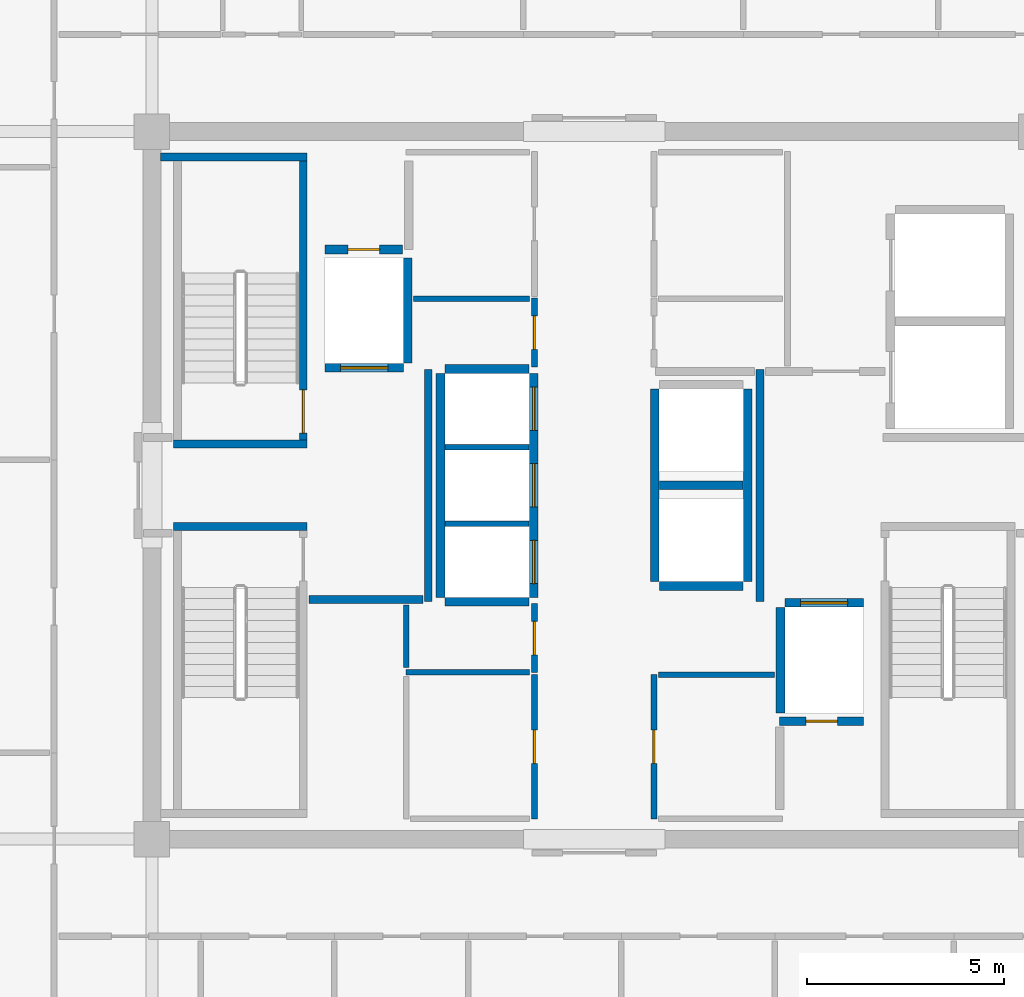
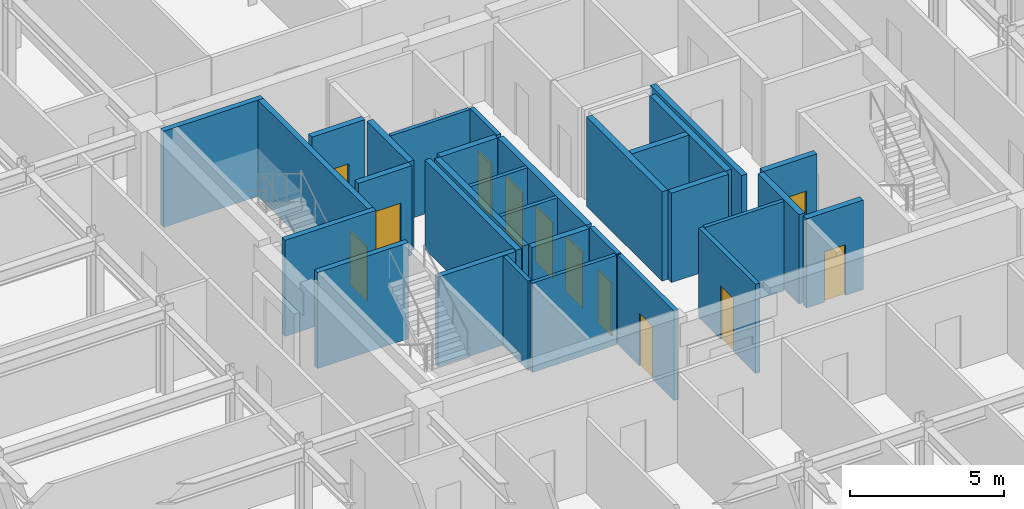
# One storey, part 12 of 16: 31 walls, 12 doors, 12 openings.
"""IFC4 building model written with IfcOpenShell, lengths in metres."""

from ifc_helpers import new_model, si_unit, direction, frame, frame_2d, origin, place, context, subcontext, project, spatial, rectangle, extrude, source, transform, mapped, material, layer, layer_set, type_object, element, fill, save


model = new_model("IFC4")

# Units and contexts
model_context = context("Model", 3, precision=1e-05, world=origin(), true_north=direction((0.0, 1.0)))
body_context = subcontext(model_context, "Body", "Model", "MODEL_VIEW")
ifc_project = project(units=[si_unit("LENGTHUNIT", "METRE"), si_unit("AREAUNIT", "SQUARE_METRE"), si_unit("VOLUMEUNIT", "CUBIC_METRE"), si_unit("PLANEANGLEUNIT", "RADIAN"), si_unit("MASSUNIT", "GRAM", prefix="KILO")], contexts=[model_context])

# Site, building, storey
site_placement = place(None, origin())
site = spatial("IfcSite", under=ifc_project, at=site_placement, CompositionType="ELEMENT")
building_placement = place(site_placement, origin())
building = spatial("IfcBuilding", under=site, at=building_placement, Name="Nefas-Gora Pilgrimage Tower", CompositionType="ELEMENT")
storey_placement = place(building_placement, frame((0.0, 0.0, 310.199951171875)))
storey = spatial("IfcBuildingStorey", under=building, at=storey_placement, Name="L78", CompositionType="ELEMENT", Elevation=310.199951171875)

# Walls
ifc_material_1 = material(Name="Concrete C45/55", Category="concrete")
ifc_layer_1 = layer(ifc_material_1, 0.199951171875)
ifc_layer_set_1 = layer_set([ifc_layer_1], Name="Concrete C45/55")
wall_type_1 = type_object("IfcWallType", Name="IW-STAIR-200", PredefinedType="SOLIDWALL", material=ifc_layer_set_1)
shared_shape_1 = source(origin(), body_context, "Body", "SweptSolid", [
    extrude(rectangle(XDim=3.39990234375, YDim=0.199951171875, at=frame_2d((1.699951171875, 0.0))), origin(), (0.0, 0.0, 1.0), 3.800048828125),
])
for number, where, z_axis, x_axis, name in (
    (1, (-7.300048828125, 1.050048828125, 0.0), (0.0, 0.0, 1.0), (-1.0, 0.0, 0.0), "L78 Stairwell Shear Wall ST-01-near"),
    (2, (-10.699951171875, -1.050048828125, 0.0), (0.0, 0.0, 1.0), (1.0, 0.0, 0.0), "L78 Stairwell Shear Wall ST-03-near"),
):
    element("IfcWall", number, at=place(storey_placement, frame(where, z_axis=z_axis, x_axis=x_axis)), inside=storey, type_object=wall_type_1, Name=name, PredefinedType="SOLIDWALL", context=body_context, shape_type="MappedRepresentation", body=[
        mapped(shared_shape_1, transform((0.0, 0.0, 0.0), x_axis=(1.0, 0.0, 0.0), y_axis=(0.0, 1.0, 0.0), z_axis=(0.0, 0.0, 1.0), scale=1.0)),
    ])

# Wall, opening, door
shared_shape_2 = source(origin(), body_context, "Body", "SweptSolid", [
    extrude(rectangle(XDim=7.10009765625, YDim=0.199951171875, at=frame_2d((3.550048828125, 0.0))), origin(), (0.0, 0.0, 1.0), 3.800048828125),
])
wall_1_placement = place(storey_placement, frame((-7.39990234375, 1.14990234375, 0.0), z_axis=(0.0, 0.0, 1.0), x_axis=(0.0, 1.0, 0.0)))
wall_1 = element("IfcWall", 3, at=wall_1_placement, inside=storey, type_object=wall_type_1, Name="L78 Stairwell Shear Wall ST-01-left", PredefinedType="SOLIDWALL", context=body_context, shape_type="MappedRepresentation", body=[
    mapped(shared_shape_2, transform((0.0, 0.0, 0.0), x_axis=(1.0, 0.0, 0.0), y_axis=(0.0, 1.0, 0.0), z_axis=(0.0, 0.0, 1.0), scale=1.0)),
])
opening_1_placement = place(wall_1_placement, frame((0.179931640625, 0.0, 0.0)))
opening_1 = element("IfcOpeningElement", 4, at=opening_1_placement, cuts=wall_1, Name="Opening ID-ST1", PredefinedType="OPENING", context=body_context, shape_type="SweptSolid", body=[
    extrude(rectangle(XDim=1.10009765625, YDim=2.14990234375, at=frame_2d((0.550048828125, 1.074951171875))), frame((0.0, 0.10986328125, 0.0), z_axis=(0.0, -1.0, 0.0), x_axis=(1.0, 0.0, 0.0)), (0.0, 0.0, 1.0), 0.219970703125),
])
ifc_material_2 = material(Name="Painted galvanised steel fire stair door", Category="steel")
door_type_1 = type_object("IfcDoorType", Name="DR-INT-STAIR-1100", OperationType="NOTDEFINED", PredefinedType="DOOR", material=ifc_material_2)
shared_shape_3 = source(origin(), body_context, "Body", "SweptSolid", [
    extrude(rectangle(XDim=1.10009765625, YDim=2.14990234375, at=frame_2d((0.550048828125, 1.074951171875))), frame((0.0, 0.02490234375, 0.0), z_axis=(0.0, -1.0, 0.0), x_axis=(1.0, 0.0, 0.0)), (0.0, 0.0, 1.0), 0.050048828125),
])
door_1_placement = place(opening_1_placement, origin())
door_1 = element("IfcDoor", 5, at=door_1_placement, inside=storey, type_object=door_type_1, Name="L78 Protected Exit Stair Door ST-01", OperationType="SINGLE_SWING_RIGHT", OverallHeight=2.14990234375, OverallWidth=1.10009765625, PredefinedType="DOOR", context=body_context, shape_type="MappedRepresentation", body=[
    mapped(shared_shape_3, transform((0.0, 0.0, 0.0), x_axis=(1.0, 0.0, 0.0), y_axis=(0.0, 1.0, 0.0), z_axis=(0.0, 0.0, 1.0), scale=1.0)),
])
fill(opening_1, door_1)

# Wall
shared_shape_4 = source(origin(), body_context, "Body", "SweptSolid", [
    extrude(rectangle(XDim=3.72998046875, YDim=0.199951171875, at=frame_2d((1.864990234375, 0.0))), origin(), (0.0, 0.0, 1.0), 3.800048828125),
])
wall_2_placement = place(storey_placement, frame((-7.300048828125, 8.35009765625, 0.0), z_axis=(0.0, 0.0, 1.0), x_axis=(-1.0, 0.0, 0.0)))
element("IfcWall", 6, at=wall_2_placement, inside=storey, type_object=wall_type_1, Name="L78 Stairwell Shear Wall ST-01-far", PredefinedType="SOLIDWALL", context=body_context, shape_type="MappedRepresentation", body=[
    mapped(shared_shape_4, transform((0.0, 0.0, 0.0), x_axis=(1.0, 0.0, 0.0), y_axis=(0.0, 1.0, 0.0), z_axis=(0.0, 0.0, 1.0), scale=1.0)),
])

# Wall, opening, door
ifc_material_3 = material(Name="Concrete C40/50", Category="concrete")
ifc_layer_2 = layer(ifc_material_3, 0.219970703125)
ifc_layer_set_2 = layer_set([ifc_layer_2], Name="Concrete C40/50")
wall_type_2 = type_object("IfcWallType", Name="IW-SHAFT-220", PredefinedType="SOLIDWALL", material=ifc_layer_set_2)
shared_shape_5 = source(origin(), body_context, "Body", "SweptSolid", [
    extrude(rectangle(XDim=2.0, YDim=0.219970703125, at=frame_2d((1.0, 0.0))), origin(), (0.0, 0.0, 1.0), 3.53515625),
])
wall_3_placement = place(storey_placement, frame((-6.85009765625, 2.989990234375, 0.0), z_axis=(0.0, 0.0, 1.0), x_axis=(1.0, 0.0, 0.0)))
wall_3 = element("IfcWall", 7, at=wall_3_placement, inside=storey, type_object=wall_type_2, Name="L78 Hoistway Wall FFL-01-S", PredefinedType="SOLIDWALL", context=body_context, shape_type="MappedRepresentation", body=[
    mapped(shared_shape_5, transform((0.0, 0.0, 0.0), x_axis=(1.0, 0.0, 0.0), y_axis=(0.0, 1.0, 0.0), z_axis=(0.0, 0.0, 1.0), scale=1.0)),
])
opening_2_placement = place(wall_3_placement, frame((0.39990234375, 0.0, 0.0)))
opening_2 = element("IfcOpeningElement", 8, at=opening_2_placement, cuts=wall_3, Name="Opening LD-FF", PredefinedType="OPENING", context=body_context, shape_type="SweptSolid", body=[
    extrude(rectangle(XDim=1.199951171875, YDim=2.199951171875, at=frame_2d((0.60009765625, 1.10009765625))), frame((0.0, 0.119873046875, 0.0), z_axis=(0.0, -1.0, 0.0), x_axis=(1.0, 0.0, 0.0)), (0.0, 0.0, 1.0), 0.239990234375),
])
ifc_material_4 = material(Name="Fire-service sliding lift landing door")
door_type_2 = type_object("IfcDoorType", Name="DR-LIFT-FSAE-1200", OperationType="SLIDING_TO_LEFT", PredefinedType="DOOR", material=ifc_material_4)
shared_shape_6 = source(origin(), body_context, "Body", "SweptSolid", [
    extrude(rectangle(XDim=1.199951171875, YDim=2.199951171875, at=frame_2d((0.60009765625, 1.10009765625))), frame((0.0, 0.02490234375, 0.0), z_axis=(0.0, -1.0, 0.0), x_axis=(1.0, 0.0, 0.0)), (0.0, 0.0, 1.0), 0.050048828125),
])
door_2_placement = place(opening_2_placement, origin())
door_2 = element("IfcDoor", 9, at=door_2_placement, inside=storey, type_object=door_type_2, Name="L78 Sliding Lift Landing Door FFL-01", OperationType="SLIDING_TO_LEFT", OverallHeight=2.199951171875, OverallWidth=1.199951171875, PredefinedType="DOOR", context=body_context, shape_type="MappedRepresentation", body=[
    mapped(shared_shape_6, transform((0.0, 0.0, 0.0), x_axis=(1.0, 0.0, 0.0), y_axis=(0.0, 1.0, 0.0), z_axis=(0.0, 0.0, 1.0), scale=1.0)),
])
fill(opening_2, door_2)

wall_4_placement = place(storey_placement, frame((6.85009765625, -2.989990234375, 0.0), z_axis=(0.0, 0.0, 1.0), x_axis=(-1.0, 0.0, 0.0)))
wall_4 = element("IfcWall", 10, at=wall_4_placement, inside=storey, type_object=wall_type_2, Name="L78 Hoistway Wall FFL-02-N", PredefinedType="SOLIDWALL", context=body_context, shape_type="MappedRepresentation", body=[
    mapped(shared_shape_5, transform((0.0, 0.0, 0.0), x_axis=(1.0, 0.0, 0.0), y_axis=(0.0, 1.0, 0.0), z_axis=(0.0, 0.0, 1.0), scale=1.0)),
])
opening_3_placement = place(wall_4_placement, frame((0.39990234375, 0.0, 0.0)))
opening_3 = element("IfcOpeningElement", 11, at=opening_3_placement, cuts=wall_4, Name="Opening LD-FF", PredefinedType="OPENING", context=body_context, shape_type="SweptSolid", body=[
    extrude(rectangle(XDim=1.199951171875, YDim=2.199951171875, at=frame_2d((0.60009765625, 1.10009765625))), frame((0.0, 0.119873046875, 0.0), z_axis=(0.0, -1.0, 0.0), x_axis=(1.0, 0.0, 0.0)), (0.0, 0.0, 1.0), 0.239990234375),
])
door_3_placement = place(opening_3_placement, origin())
door_3 = element("IfcDoor", 12, at=door_3_placement, inside=storey, type_object=door_type_2, Name="L78 Sliding Lift Landing Door FFL-02", OperationType="SLIDING_TO_LEFT", OverallHeight=2.199951171875, OverallWidth=1.199951171875, PredefinedType="DOOR", context=body_context, shape_type="MappedRepresentation", body=[
    mapped(shared_shape_6, transform((0.0, 0.0, 0.0), x_axis=(1.0, 0.0, 0.0), y_axis=(0.0, 1.0, 0.0), z_axis=(0.0, 0.0, 1.0), scale=1.0)),
])
fill(opening_3, door_3)

# Walls
shared_shape_7 = source(origin(), body_context, "Body", "SweptSolid", [
    extrude(rectangle(XDim=2.679931640625, YDim=0.219970703125, at=frame_2d((1.33984375, 0.0))), origin(), (0.0, 0.0, 1.0), 3.53515625),
])
for number, where, z_axis, x_axis, name in (
    (13, (-4.739990234375, 3.110107421875, 0.0), (0.0, 0.0, 1.0), (0.0, 1.0, 0.0), "L78 Hoistway Wall FFL-01-E"),
    (14, (4.739990234375, -3.110107421875, 0.0), (0.0, 0.0, 1.0), (0.0, -1.0, 0.0), "L78 Hoistway Wall FFL-02-W"),
):
    element("IfcWall", number, at=place(storey_placement, frame(where, z_axis=z_axis, x_axis=x_axis)), inside=storey, type_object=wall_type_2, Name=name, PredefinedType="SOLIDWALL", context=body_context, shape_type="MappedRepresentation", body=[
        mapped(shared_shape_7, transform((0.0, 0.0, 0.0), x_axis=(1.0, 0.0, 0.0), y_axis=(0.0, 1.0, 0.0), z_axis=(0.0, 0.0, 1.0), scale=1.0)),
    ])

# Wall, openings, doors
shared_shape_8 = source(origin(), body_context, "Body", "SweptSolid", [
    extrude(rectangle(XDim=5.7001953125, YDim=0.219970703125, at=frame_2d((2.85009765625, 0.0))), origin(), (0.0, 0.0, 1.0), 3.53515625),
])
wall_5_placement = place(storey_placement, frame((-1.5400390625, -2.85009765625, 0.0), z_axis=(0.0, 0.0, 1.0), x_axis=(0.0, 1.0, 0.0)))
wall_5 = element("IfcWall", 15, at=wall_5_placement, inside=storey, type_object=wall_type_2, Name="L78 Hoistway Wall PL3-01-03-E", PredefinedType="SOLIDWALL", context=body_context, shape_type="MappedRepresentation", body=[
    mapped(shared_shape_8, transform((0.0, 0.0, 0.0), x_axis=(1.0, 0.0, 0.0), y_axis=(0.0, 1.0, 0.0), z_axis=(0.0, 0.0, 1.0), scale=1.0)),
])
opening_4_placement = place(wall_5_placement, frame((0.35009765625, 0.0, 0.0)))
opening_4 = element("IfcOpeningElement", 16, at=opening_4_placement, cuts=wall_5, Name="Opening LD-01", PredefinedType="OPENING", context=body_context, shape_type="SweptSolid", body=[
    extrude(rectangle(XDim=1.10009765625, YDim=2.199951171875, at=frame_2d((0.550048828125, 1.10009765625))), frame((0.0, 0.119873046875, 0.0), z_axis=(0.0, -1.0, 0.0), x_axis=(1.0, 0.0, 0.0)), (0.0, 0.0, 1.0), 0.239990234375),
])
opening_5_placement = place(wall_5_placement, frame((2.300048828125, 0.0, 0.0)))
opening_5 = element("IfcOpeningElement", 17, at=opening_5_placement, cuts=wall_5, Name="Opening LD-01", PredefinedType="OPENING", context=body_context, shape_type="SweptSolid", body=[
    extrude(rectangle(XDim=1.10009765625, YDim=2.199951171875, at=frame_2d((0.550048828125, 1.10009765625))), frame((0.0, 0.119873046875, 0.0), z_axis=(0.0, -1.0, 0.0), x_axis=(1.0, 0.0, 0.0)), (0.0, 0.0, 1.0), 0.239990234375),
])
opening_6_placement = place(wall_5_placement, frame((4.25, 0.0, 0.0)))
opening_6 = element("IfcOpeningElement", 18, at=opening_6_placement, cuts=wall_5, Name="Opening LD-01", PredefinedType="OPENING", context=body_context, shape_type="SweptSolid", body=[
    extrude(rectangle(XDim=1.10009765625, YDim=2.199951171875, at=frame_2d((0.550048828125, 1.10009765625))), frame((0.0, 0.119873046875, 0.0), z_axis=(0.0, -1.0, 0.0), x_axis=(1.0, 0.0, 0.0)), (0.0, 0.0, 1.0), 0.239990234375),
])
ifc_material_5 = material(Name="Brushed stainless sliding lift landing door")
door_type_3 = type_object("IfcDoorType", Name="DR-LIFT-PASS-1100", OperationType="DOUBLE_DOOR_SLIDING", PredefinedType="DOOR", material=ifc_material_5)
shared_shape_9 = source(origin(), body_context, "Body", "SweptSolid", [
    extrude(rectangle(XDim=1.10009765625, YDim=2.199951171875, at=frame_2d((0.550048828125, 1.10009765625))), frame((0.0, 0.02490234375, 0.0), z_axis=(0.0, -1.0, 0.0), x_axis=(1.0, 0.0, 0.0)), (0.0, 0.0, 1.0), 0.050048828125),
])
door_4_placement = place(opening_4_placement, origin())
door_4 = element("IfcDoor", 19, at=door_4_placement, inside=storey, type_object=door_type_3, Name="L78 Sliding Lift Landing Door PL3-01", OperationType="DOUBLE_DOOR_SLIDING", OverallHeight=2.199951171875, OverallWidth=1.10009765625, PredefinedType="DOOR", context=body_context, shape_type="MappedRepresentation", body=[
    mapped(shared_shape_9, transform((0.0, 0.0, 0.0), x_axis=(1.0, 0.0, 0.0), y_axis=(0.0, 1.0, 0.0), z_axis=(0.0, 0.0, 1.0), scale=1.0)),
])
fill(opening_4, door_4)
door_5_placement = place(opening_5_placement, origin())
door_5 = element("IfcDoor", 20, at=door_5_placement, inside=storey, type_object=door_type_3, Name="L78 Sliding Lift Landing Door PL3-02", OperationType="DOUBLE_DOOR_SLIDING", OverallHeight=2.199951171875, OverallWidth=1.10009765625, PredefinedType="DOOR", context=body_context, shape_type="MappedRepresentation", body=[
    mapped(shared_shape_9, transform((0.0, 0.0, 0.0), x_axis=(1.0, 0.0, 0.0), y_axis=(0.0, 1.0, 0.0), z_axis=(0.0, 0.0, 1.0), scale=1.0)),
])
fill(opening_5, door_5)
door_6_placement = place(opening_6_placement, origin())
door_6 = element("IfcDoor", 21, at=door_6_placement, inside=storey, type_object=door_type_3, Name="L78 Sliding Lift Landing Door PL3-03", OperationType="DOUBLE_DOOR_SLIDING", OverallHeight=2.199951171875, OverallWidth=1.10009765625, PredefinedType="DOOR", context=body_context, shape_type="MappedRepresentation", body=[
    mapped(shared_shape_9, transform((0.0, 0.0, 0.0), x_axis=(1.0, 0.0, 0.0), y_axis=(0.0, 1.0, 0.0), z_axis=(0.0, 0.0, 1.0), scale=1.0)),
])
fill(opening_6, door_6)

# Walls
wall_6_placement = place(storey_placement, frame((-3.909912109375, 2.85009765625, 0.0), z_axis=(0.0, 0.0, 1.0), x_axis=(0.0, -1.0, 0.0)))
element("IfcWall", 22, at=wall_6_placement, inside=storey, type_object=wall_type_2, Name="L78 Hoistway Wall PL3-01-03-W", PredefinedType="SOLIDWALL", context=body_context, shape_type="MappedRepresentation", body=[
    mapped(shared_shape_8, transform((0.0, 0.0, 0.0), x_axis=(1.0, 0.0, 0.0), y_axis=(0.0, 1.0, 0.0), z_axis=(0.0, 0.0, 1.0), scale=1.0)),
])
shared_shape_10 = source(origin(), body_context, "Body", "SweptSolid", [
    extrude(rectangle(XDim=2.130126953125, YDim=0.219970703125, at=frame_2d((1.06494140625, 0.0))), origin(), (0.0, 0.0, 1.0), 3.53515625),
])
for number, where, z_axis, x_axis, name in (
    (23, (-3.7900390625, -2.9599609375, 0.0), (0.0, 0.0, 1.0), (1.0, 0.0, 0.0), "L78 Hoistway Wall PL3-01-S"),
    (24, (-1.659912109375, 2.9599609375, 0.0), (0.0, 0.0, 1.0), (-1.0, 0.0, 0.0), "L78 Hoistway Wall PL3-03-N"),
    (25, (1.659912109375, -2.56005859375, 0.0), (0.0, 0.0, 1.0), (1.0, 0.0, 0.0), "L78 Hoistway Wall OBS-01-S"),
    (26, (1.659912109375, 0.0, 0.0), (0.0, 0.0, 1.0), (1.0, 0.0, 0.0), "L78 Hoistway Wall OBS-01-02-DIV"),
):
    element("IfcWall", number, at=place(storey_placement, frame(where, z_axis=z_axis, x_axis=x_axis)), inside=storey, type_object=wall_type_2, Name=name, PredefinedType="SOLIDWALL", context=body_context, shape_type="MappedRepresentation", body=[
        mapped(shared_shape_10, transform((0.0, 0.0, 0.0), x_axis=(1.0, 0.0, 0.0), y_axis=(0.0, 1.0, 0.0), z_axis=(0.0, 0.0, 1.0), scale=1.0)),
    ])

# Wall, opening, door
wall_7_placement = place(storey_placement, frame((4.719970703125, -6.0, 0.0), z_axis=(0.0, 0.0, 1.0), x_axis=(1.0, 0.0, 0.0)))
wall_7 = element("IfcWall", 27, at=wall_7_placement, inside=storey, type_object=wall_type_2, Name="L78 Riser Shaft Wall 3", PredefinedType="SOLIDWALL", context=body_context, shape_type="MappedRepresentation", body=[
    mapped(shared_shape_10, transform((0.0, 0.0, 0.0), x_axis=(1.0, 0.0, 0.0), y_axis=(0.0, 1.0, 0.0), z_axis=(0.0, 0.0, 1.0), scale=1.0)),
])
opening_7_placement = place(wall_7_placement, frame((0.6650390625, 0.0, 0.0)))
opening_7 = element("IfcOpeningElement", 28, at=opening_7_placement, cuts=wall_7, Name="Opening ID-TR1", PredefinedType="OPENING", context=body_context, shape_type="SweptSolid", body=[
    extrude(rectangle(XDim=0.800048828125, YDim=2.0, at=frame_2d((0.39990234375, 1.0))), frame((0.0, 0.119873046875, 0.0), z_axis=(0.0, -1.0, 0.0), x_axis=(1.0, 0.0, 0.0)), (0.0, 0.0, 1.0), 0.239990234375),
])
ifc_material_6 = material(Name="Riser maintenance fire access door")
door_type_4 = type_object("IfcDoorType", Name="DR-INT-TRAP-800", OperationType="NOTDEFINED", PredefinedType="TRAPDOOR", material=ifc_material_6)
shared_shape_11 = source(origin(), body_context, "Body", "SweptSolid", [
    extrude(rectangle(XDim=0.800048828125, YDim=2.0, at=frame_2d((0.39990234375, 1.0))), frame((0.0, 0.02490234375, 0.0), z_axis=(0.0, -1.0, 0.0), x_axis=(1.0, 0.0, 0.0)), (0.0, 0.0, 1.0), 0.050048828125),
])
door_7_placement = place(opening_7_placement, origin())
door_7 = element("IfcDoor", 29, at=door_7_placement, inside=storey, type_object=door_type_4, Name="L78 Riser Shaft Door 2", OperationType="SINGLE_SWING_LEFT", OverallHeight=2.0, OverallWidth=0.800048828125, PredefinedType="TRAPDOOR", context=body_context, shape_type="MappedRepresentation", body=[
    mapped(shared_shape_11, transform((0.0, 0.0, 0.0), x_axis=(1.0, 0.0, 0.0), y_axis=(0.0, 1.0, 0.0), z_axis=(0.0, 0.0, 1.0), scale=1.0)),
])
fill(opening_7, door_7)

# Walls
ifc_material_7 = material(Name="Gypsum twin-stud partition")
ifc_layer_3 = layer(ifc_material_7, 0.139892578125)
ifc_layer_set_3 = layer_set([ifc_layer_3], Name="Gypsum twin-stud partition")
wall_type_3 = type_object("IfcWallType", Name="IW-UNIT-140", PredefinedType="PARTITIONING", material=ifc_layer_set_3)
shared_shape_12 = source(origin(), body_context, "Body", "SweptSolid", [
    extrude(rectangle(XDim=2.130126953125, YDim=0.139892578125, at=frame_2d((1.06494140625, 0.0))), origin(), (0.0, 0.0, 1.0), 3.53515625),
])
for number, where, z_axis, x_axis, name in (
    (30, (-3.7900390625, -0.97509765625, 0.0), (0.0, 0.0, 1.0), (1.0, 0.0, 0.0), "L78 Hoistway Wall PL3-01-02-DIV"),
    (31, (-3.7900390625, 0.97509765625, 0.0), (0.0, 0.0, 1.0), (1.0, 0.0, 0.0), "L78 Hoistway Wall PL3-02-03-DIV"),
):
    element("IfcWall", number, at=place(storey_placement, frame(where, z_axis=z_axis, x_axis=x_axis)), inside=storey, type_object=wall_type_3, Name=name, PredefinedType="PARTITIONING", context=body_context, shape_type="MappedRepresentation", body=[
        mapped(shared_shape_12, transform((0.0, 0.0, 0.0), x_axis=(1.0, 0.0, 0.0), y_axis=(0.0, 1.0, 0.0), z_axis=(0.0, 0.0, 1.0), scale=1.0)),
    ])
shared_shape_13 = source(origin(), body_context, "Body", "SweptSolid", [
    extrude(rectangle(XDim=4.89990234375, YDim=0.219970703125, at=frame_2d((2.449951171875, 0.0))), origin(), (0.0, 0.0, 1.0), 3.53515625),
])
for number, where, z_axis, x_axis, name in (
    (32, (1.5400390625, 2.449951171875, 0.0), (0.0, 0.0, 1.0), (0.0, -1.0, 0.0), "L78 Hoistway Wall OBS-01-02-W"),
    (33, (3.909912109375, -2.449951171875, 0.0), (0.0, 0.0, 1.0), (0.0, 1.0, 0.0), "L78 Hoistway Wall OBS-01-02-E"),
):
    element("IfcWall", number, at=place(storey_placement, frame(where, z_axis=z_axis, x_axis=x_axis)), inside=storey, type_object=wall_type_2, Name=name, PredefinedType="SOLIDWALL", context=body_context, shape_type="MappedRepresentation", body=[
        mapped(shared_shape_13, transform((0.0, 0.0, 0.0), x_axis=(1.0, 0.0, 0.0), y_axis=(0.0, 1.0, 0.0), z_axis=(0.0, 0.0, 1.0), scale=1.0)),
    ])
ifc_material_8 = material(Name="Gypsum fire-rated shaftwall")
ifc_layer_4 = layer(ifc_material_8, 0.199951171875)
ifc_layer_set_4 = layer_set([ifc_layer_4], Name="Gypsum fire-rated shaftwall")
wall_type_4 = type_object("IfcWallType", Name="IW-FFLOB-200", PredefinedType="PARTITIONING", material=ifc_layer_set_4)
shared_shape_14 = source(origin(), body_context, "Body", "SweptSolid", [
    extrude(rectangle(XDim=5.89990234375, YDim=0.199951171875, at=frame_2d((2.949951171875, 0.0))), origin(), (0.0, 0.0, 1.0), 3.53515625),
])
for number, where, z_axis, x_axis, name in (
    (34, (-4.219970703125, -2.949951171875, 0.0), (0.0, 0.0, 1.0), (0.0, 1.0, 0.0), "L78 FF Lobby West Inner Wall Wall 6"),
    (35, (4.219970703125, -2.949951171875, 0.0), (0.0, 0.0, 1.0), (0.0, 1.0, 0.0), "L78 FF Lobby East Inner Wall Wall 11"),
):
    element("IfcWall", number, at=place(storey_placement, frame(where, z_axis=z_axis, x_axis=x_axis)), inside=storey, type_object=wall_type_4, Name=name, PredefinedType="PARTITIONING", context=body_context, shape_type="MappedRepresentation", body=[
        mapped(shared_shape_14, transform((0.0, 0.0, 0.0), x_axis=(1.0, 0.0, 0.0), y_axis=(0.0, 1.0, 0.0), z_axis=(0.0, 0.0, 1.0), scale=1.0)),
    ])
shared_shape_15 = source(origin(), body_context, "Body", "SweptSolid", [
    extrude(rectangle(XDim=2.89990234375, YDim=0.199951171875, at=frame_2d((1.449951171875, 0.0))), origin(), (0.0, 0.0, 1.0), 3.53515625),
])
wall_8_placement = place(storey_placement, frame((-7.260009765625, -2.89990234375, 0.0), z_axis=(0.0, 0.0, 1.0), x_axis=(1.0, 0.0, 0.0)))
element("IfcWall", 36, at=wall_8_placement, inside=storey, type_object=wall_type_4, Name="L78 FF Lobby West South Wall Wall 7", PredefinedType="PARTITIONING", context=body_context, shape_type="MappedRepresentation", body=[
    mapped(shared_shape_15, transform((0.0, 0.0, 0.0), x_axis=(1.0, 0.0, 0.0), y_axis=(0.0, 1.0, 0.0), z_axis=(0.0, 0.0, 1.0), scale=1.0)),
])
shared_shape_16 = source(origin(), body_context, "Body", "SweptSolid", [
    extrude(rectangle(XDim=3.150146484375, YDim=0.139892578125, at=frame_2d((1.5751953125, 0.0))), origin(), (0.0, 0.0, 1.0), 3.53515625),
])
wall_9_placement = place(storey_placement, frame((-4.7900390625, -4.75, 0.0), z_axis=(0.0, 0.0, 1.0), x_axis=(1.0, 0.0, 0.0)))
element("IfcWall", 37, at=wall_9_placement, inside=storey, type_object=wall_type_3, Name="L78 Guest Self-Service Laundry Room Partition Wall 32", PredefinedType="PARTITIONING", context=body_context, shape_type="MappedRepresentation", body=[
    mapped(shared_shape_16, transform((0.0, 0.0, 0.0), x_axis=(1.0, 0.0, 0.0), y_axis=(0.0, 1.0, 0.0), z_axis=(0.0, 0.0, 1.0), scale=1.0)),
])
shared_shape_17 = source(origin(), body_context, "Body", "SweptSolid", [
    extrude(rectangle(XDim=2.9501953125, YDim=0.139892578125, at=frame_2d((1.47509765625, 0.0))), origin(), (0.0, 0.0, 1.0), 3.53515625),
])
for number, where, z_axis, x_axis, name in (
    (38, (-4.590087890625, 4.75, 0.0), (0.0, 0.0, 1.0), (1.0, 0.0, 0.0), "L78 Housekeeping and Linen Store Partition Wall 24"),
    (39, (1.639892578125, -4.820068359375, 0.0), (0.0, 0.0, 1.0), (1.0, 0.0, 0.0), "L78 High-Rise Tableware Store Partition Wall 38"),
):
    element("IfcWall", number, at=place(storey_placement, frame(where, z_axis=z_axis, x_axis=x_axis)), inside=storey, type_object=wall_type_3, Name=name, PredefinedType="PARTITIONING", context=body_context, shape_type="MappedRepresentation", body=[
        mapped(shared_shape_17, transform((0.0, 0.0, 0.0), x_axis=(1.0, 0.0, 0.0), y_axis=(0.0, 1.0, 0.0), z_axis=(0.0, 0.0, 1.0), scale=1.0)),
    ])

# Wall, opening, door
shared_shape_18 = source(origin(), body_context, "Body", "SweptSolid", [
    extrude(rectangle(XDim=1.97998046875, YDim=0.219970703125, at=frame_2d((0.989990234375, 0.0))), origin(), (0.0, 0.0, 1.0), 3.53515625),
])
wall_10_placement = place(storey_placement, frame((-6.85009765625, 6.0, 0.0), z_axis=(0.0, 0.0, 1.0), x_axis=(1.0, 0.0, 0.0)))
wall_10 = element("IfcWall", 40, at=wall_10_placement, inside=storey, type_object=wall_type_2, Name="L78 Riser Shaft Wall 2", PredefinedType="SOLIDWALL", context=body_context, shape_type="MappedRepresentation", body=[
    mapped(shared_shape_18, transform((0.0, 0.0, 0.0), x_axis=(1.0, 0.0, 0.0), y_axis=(0.0, 1.0, 0.0), z_axis=(0.0, 0.0, 1.0), scale=1.0)),
])
opening_8_placement = place(wall_10_placement, frame((0.590087890625, 0.0, 0.0)))
opening_8 = element("IfcOpeningElement", 41, at=opening_8_placement, cuts=wall_10, Name="Opening ID-TR1", PredefinedType="OPENING", context=body_context, shape_type="SweptSolid", body=[
    extrude(rectangle(XDim=0.800048828125, YDim=2.0, at=frame_2d((0.39990234375, 1.0))), frame((0.0, 0.119873046875, 0.0), z_axis=(0.0, -1.0, 0.0), x_axis=(1.0, 0.0, 0.0)), (0.0, 0.0, 1.0), 0.239990234375),
])
door_8_placement = place(opening_8_placement, origin())
door_8 = element("IfcDoor", 42, at=door_8_placement, inside=storey, type_object=door_type_4, Name="L78 Riser Shaft Door 1", OperationType="SINGLE_SWING_RIGHT", OverallHeight=2.0, OverallWidth=0.800048828125, PredefinedType="TRAPDOOR", context=body_context, shape_type="MappedRepresentation", body=[
    mapped(shared_shape_11, transform((0.0, 0.0, 0.0), x_axis=(1.0, 0.0, 0.0), y_axis=(0.0, 1.0, 0.0), z_axis=(0.0, 0.0, 1.0), scale=1.0)),
])
fill(opening_8, door_8)

ifc_material_9 = material(Name="Gypsum acoustic stud partition")
ifc_layer_5 = layer(ifc_material_9, 0.159912109375)
ifc_layer_set_5 = layer_set([ifc_layer_5], Name="Gypsum acoustic stud partition")
wall_type_5 = type_object("IfcWallType", Name="IW-CORR-160", PredefinedType="PARTITIONING", material=ifc_layer_set_5)
shared_shape_19 = source(origin(), body_context, "Body", "SweptSolid", [
    extrude(rectangle(XDim=1.75, YDim=0.159912109375, at=frame_2d((0.875, 0.0))), origin(), (0.0, 0.0, 1.0), 3.53515625),
])
wall_11_placement = place(storey_placement, frame((-1.52001953125, 3.010009765625, 0.0), z_axis=(0.0, 0.0, 1.0), x_axis=(0.0, 1.0, 0.0)))
wall_11 = element("IfcWall", 43, at=wall_11_placement, inside=storey, type_object=wall_type_5, Name="L78 Housekeeping and Linen Store Wall 23", PredefinedType="PARTITIONING", context=body_context, shape_type="MappedRepresentation", body=[
    mapped(shared_shape_19, transform((0.0, 0.0, 0.0), x_axis=(1.0, 0.0, 0.0), y_axis=(0.0, 1.0, 0.0), z_axis=(0.0, 0.0, 1.0), scale=1.0)),
])
opening_9_placement = place(wall_11_placement, frame((0.449951171875, 0.0, 0.0)))
opening_9 = element("IfcOpeningElement", 44, at=opening_9_placement, cuts=wall_11, Name="Opening ID-BT1", PredefinedType="OPENING", context=body_context, shape_type="SweptSolid", body=[
    extrude(rectangle(XDim=0.85009765625, YDim=2.10009765625, at=frame_2d((0.425048828125, 1.050048828125))), frame((0.0, 0.08984375, 0.0), z_axis=(0.0, -1.0, 0.0), x_axis=(1.0, 0.0, 0.0)), (0.0, 0.0, 1.0), 0.179931640625),
])
ifc_material_10 = material(Name="Moisture-resistant fire-rated timber door", Category="wood")
door_type_5 = type_object("IfcDoorType", Name="DR-INT-BATH-850", OperationType="NOTDEFINED", PredefinedType="DOOR", material=ifc_material_10)
shared_shape_20 = source(origin(), body_context, "Body", "SweptSolid", [
    extrude(rectangle(XDim=0.85009765625, YDim=2.10009765625, at=frame_2d((0.425048828125, 1.050048828125))), frame((0.0, 0.02490234375, 0.0), z_axis=(0.0, -1.0, 0.0), x_axis=(1.0, 0.0, 0.0)), (0.0, 0.0, 1.0), 0.050048828125),
])
door_9_placement = place(opening_9_placement, origin())
door_9 = element("IfcDoor", 45, at=door_9_placement, inside=storey, type_object=door_type_5, Name="L78 Housekeeping and Linen Store Door 9", OperationType="SINGLE_SWING_RIGHT", OverallHeight=2.10009765625, OverallWidth=0.85009765625, PredefinedType="DOOR", context=body_context, shape_type="MappedRepresentation", body=[
    mapped(shared_shape_20, transform((0.0, 0.0, 0.0), x_axis=(1.0, 0.0, 0.0), y_axis=(0.0, 1.0, 0.0), z_axis=(0.0, 0.0, 1.0), scale=1.0)),
])
fill(opening_9, door_9)

wall_12_placement = place(storey_placement, frame((-1.52001953125, -4.760009765625, 0.0), z_axis=(0.0, 0.0, 1.0), x_axis=(0.0, 1.0, 0.0)))
wall_12 = element("IfcWall", 46, at=wall_12_placement, inside=storey, type_object=wall_type_5, Name="L78 Guest Self-Service Laundry Room Wall 31", PredefinedType="PARTITIONING", context=body_context, shape_type="MappedRepresentation", body=[
    mapped(shared_shape_19, transform((0.0, 0.0, 0.0), x_axis=(1.0, 0.0, 0.0), y_axis=(0.0, 1.0, 0.0), z_axis=(0.0, 0.0, 1.0), scale=1.0)),
])
opening_10_placement = place(wall_12_placement, frame((0.449951171875, 0.0, 0.0)))
opening_10 = element("IfcOpeningElement", 47, at=opening_10_placement, cuts=wall_12, Name="Opening ID-BT1", PredefinedType="OPENING", context=body_context, shape_type="SweptSolid", body=[
    extrude(rectangle(XDim=0.85009765625, YDim=2.10009765625, at=frame_2d((0.425048828125, 1.050048828125))), frame((0.0, 0.08984375, 0.0), z_axis=(0.0, -1.0, 0.0), x_axis=(1.0, 0.0, 0.0)), (0.0, 0.0, 1.0), 0.179931640625),
])
door_10_placement = place(opening_10_placement, origin())
door_10 = element("IfcDoor", 48, at=door_10_placement, inside=storey, type_object=door_type_5, Name="L78 Guest Self-Service Laundry Room Door 13", OperationType="SINGLE_SWING_RIGHT", OverallHeight=2.10009765625, OverallWidth=0.85009765625, PredefinedType="DOOR", context=body_context, shape_type="MappedRepresentation", body=[
    mapped(shared_shape_20, transform((0.0, 0.0, 0.0), x_axis=(1.0, 0.0, 0.0), y_axis=(0.0, 1.0, 0.0), z_axis=(0.0, 0.0, 1.0), scale=1.0)),
])
fill(opening_10, door_10)

shared_shape_21 = source(origin(), body_context, "Body", "SweptSolid", [
    extrude(rectangle(XDim=3.679931640625, YDim=0.159912109375, at=frame_2d((1.83984375, 0.0))), origin(), (0.0, 0.0, 1.0), 3.53515625),
])
wall_13_placement = place(storey_placement, frame((-1.52001953125, -8.489990234375, 0.0), z_axis=(0.0, 0.0, 1.0), x_axis=(0.0, 1.0, 0.0)))
wall_13 = element("IfcWall", 49, at=wall_13_placement, inside=storey, type_object=wall_type_5, Name="L78 High-Rise Linen Store Wall 34", PredefinedType="PARTITIONING", context=body_context, shape_type="MappedRepresentation", body=[
    mapped(shared_shape_21, transform((0.0, 0.0, 0.0), x_axis=(1.0, 0.0, 0.0), y_axis=(0.0, 1.0, 0.0), z_axis=(0.0, 0.0, 1.0), scale=1.0)),
])
opening_11_placement = place(wall_13_placement, frame((1.4150390625, 0.0, 0.0)))
opening_11 = element("IfcOpeningElement", 50, at=opening_11_placement, cuts=wall_13, Name="Opening ID-BT1", PredefinedType="OPENING", context=body_context, shape_type="SweptSolid", body=[
    extrude(rectangle(XDim=0.85009765625, YDim=2.10009765625, at=frame_2d((0.425048828125, 1.050048828125))), frame((0.0, 0.08984375, 0.0), z_axis=(0.0, -1.0, 0.0), x_axis=(1.0, 0.0, 0.0)), (0.0, 0.0, 1.0), 0.179931640625),
])
door_11_placement = place(opening_11_placement, origin())
door_11 = element("IfcDoor", 51, at=door_11_placement, inside=storey, type_object=door_type_5, Name="L78 High-Rise Linen Store Door 14", OperationType="SINGLE_SWING_LEFT", OverallHeight=2.10009765625, OverallWidth=0.85009765625, PredefinedType="DOOR", context=body_context, shape_type="MappedRepresentation", body=[
    mapped(shared_shape_20, transform((0.0, 0.0, 0.0), x_axis=(1.0, 0.0, 0.0), y_axis=(0.0, 1.0, 0.0), z_axis=(0.0, 0.0, 1.0), scale=1.0)),
])
fill(opening_11, door_11)

wall_14_placement = place(storey_placement, frame((1.52001953125, -8.489990234375, 0.0), z_axis=(0.0, 0.0, 1.0), x_axis=(0.0, 1.0, 0.0)))
wall_14 = element("IfcWall", 52, at=wall_14_placement, inside=storey, type_object=wall_type_5, Name="L78 High-Rise Tableware Store Wall 37", PredefinedType="PARTITIONING", context=body_context, shape_type="MappedRepresentation", body=[
    mapped(shared_shape_21, transform((0.0, 0.0, 0.0), x_axis=(1.0, 0.0, 0.0), y_axis=(0.0, 1.0, 0.0), z_axis=(0.0, 0.0, 1.0), scale=1.0)),
])
opening_12_placement = place(wall_14_placement, frame((1.4150390625, 0.0, 0.0)))
opening_12 = element("IfcOpeningElement", 53, at=opening_12_placement, cuts=wall_14, Name="Opening ID-BT1", PredefinedType="OPENING", context=body_context, shape_type="SweptSolid", body=[
    extrude(rectangle(XDim=0.85009765625, YDim=2.10009765625, at=frame_2d((0.425048828125, 1.050048828125))), frame((0.0, 0.08984375, 0.0), z_axis=(0.0, -1.0, 0.0), x_axis=(1.0, 0.0, 0.0)), (0.0, 0.0, 1.0), 0.179931640625),
])
door_12_placement = place(opening_12_placement, origin())
door_12 = element("IfcDoor", 54, at=door_12_placement, inside=storey, type_object=door_type_5, Name="L78 High-Rise Tableware Store Door 15", OperationType="SINGLE_SWING_RIGHT", OverallHeight=2.10009765625, OverallWidth=0.85009765625, PredefinedType="DOOR", context=body_context, shape_type="MappedRepresentation", body=[
    mapped(shared_shape_20, transform((0.0, 0.0, 0.0), x_axis=(1.0, 0.0, 0.0), y_axis=(0.0, 1.0, 0.0), z_axis=(0.0, 0.0, 1.0), scale=1.0)),
])
fill(opening_12, door_12)

# Wall
shared_shape_22 = source(origin(), body_context, "Body", "SweptSolid", [
    extrude(rectangle(XDim=1.599853515625, YDim=0.139892578125, at=frame_2d((0.7998046875, 0.0))), origin(), (0.0, 0.0, 1.0), 3.53515625),
])
wall_15_placement = place(storey_placement, frame((-4.780029296875, -4.639892578125, 0.0), z_axis=(0.0, 0.0, 1.0), x_axis=(0.0, 1.0, 0.0)))
element("IfcWall", 55, at=wall_15_placement, inside=storey, type_object=wall_type_3, Name="L78 Guest Self-Service Laundry Room Partition Wall 33", PredefinedType="PARTITIONING", context=body_context, shape_type="MappedRepresentation", body=[
    mapped(shared_shape_22, transform((0.0, 0.0, 0.0), x_axis=(1.0, 0.0, 0.0), y_axis=(0.0, 1.0, 0.0), z_axis=(0.0, 0.0, 1.0), scale=1.0)),
])

save(model, "model.ifc")
